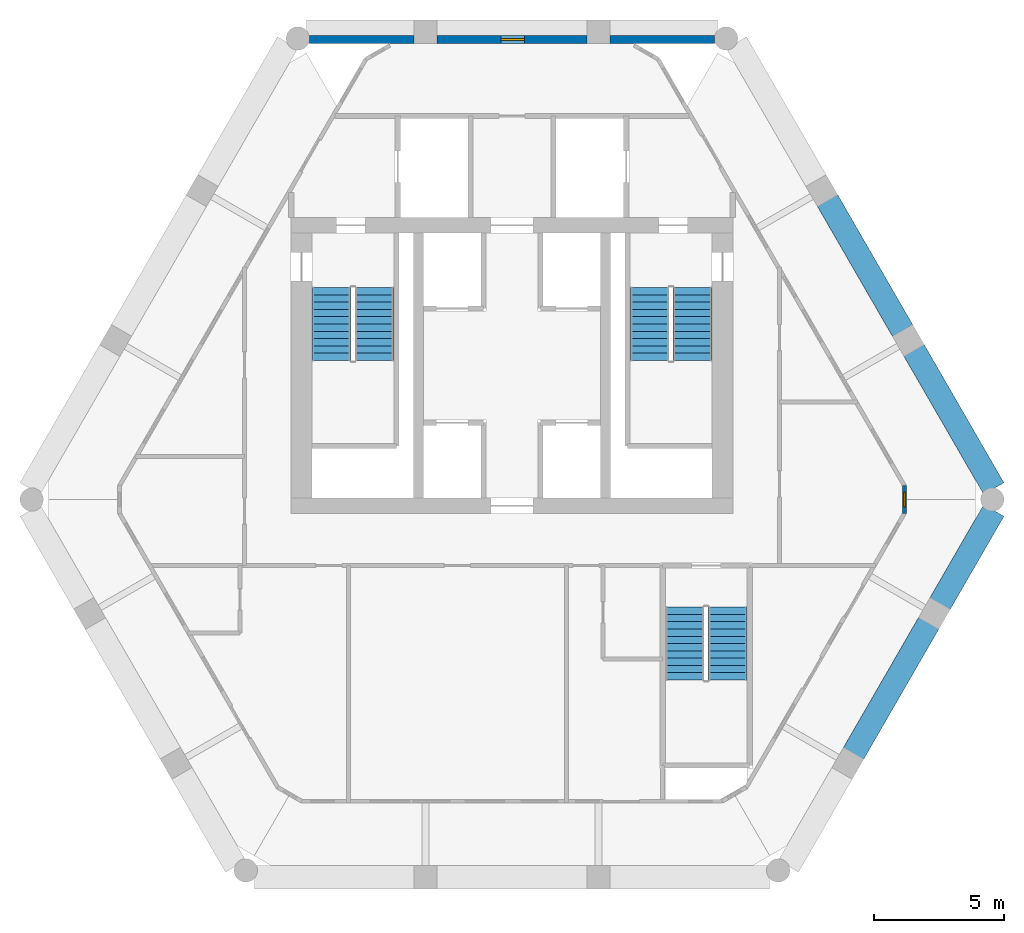
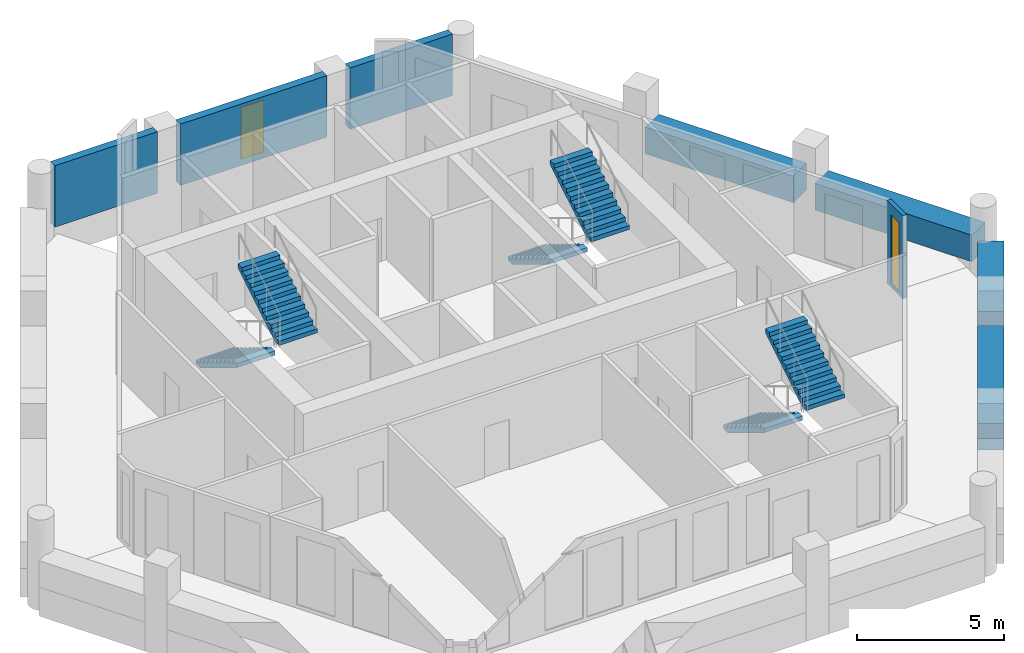
# One storey, part 5 of 6: 8 walls, 6 stair flights, 2 windows, 2 openings, 3 elements without a shape of their own.
"""IFC4 building model written with IfcOpenShell, lengths in metres."""

from ifc_helpers import new_model, si_unit, direction, frame, frame_2d, origin, place, context, subcontext, project, spatial, polyline, rectangle, outline, extrude, material, layer, layer_set, type_object, element, fill, aggregate, save


model = new_model("IFC4")

# Units and contexts
model_context = context("Model", 3, precision=1e-05, world=origin(), true_north=direction((0.0, 1.0)))
body_context = subcontext(model_context, "Body", "Model", "MODEL_VIEW")
ifc_project = project(units=[si_unit("LENGTHUNIT", "METRE"), si_unit("AREAUNIT", "SQUARE_METRE"), si_unit("VOLUMEUNIT", "CUBIC_METRE"), si_unit("PLANEANGLEUNIT", "RADIAN"), si_unit("MASSUNIT", "GRAM", prefix="KILO")], contexts=[model_context])

# Site, building, storey
site_placement = place(None, origin())
site = spatial("IfcSite", under=ifc_project, at=site_placement, CompositionType="ELEMENT")
building_placement = place(site_placement, origin())
building = spatial("IfcBuilding", under=site, at=building_placement, Name="Ostrander Bayou Hotel Tower", CompositionType="ELEMENT")
storey_placement = place(building_placement, frame((0.0, 0.0, 271.25)))
storey = spatial("IfcBuildingStorey", under=building, at=storey_placement, Name="L67", CompositionType="ELEMENT", Elevation=271.25)

# Wall, opening, window
ifc_material_1 = material(Name="Aluminium framed insulated wall", Category="aluminium")
ifc_layer_1 = layer(ifc_material_1, 0.14990234375)
ifc_layer_set_1 = layer_set([ifc_layer_1], Name="GW1 glass-line wall 150 mm")
wall_type_1 = type_object("IfcWallType", Name="GW1 glass-line wall 150 mm", PredefinedType="SOLIDWALL", material=ifc_layer_set_1)
wall_1_placement = place(storey_placement, frame((15.10400390625, -1.68896484375, 0.0), z_axis=(0.0, 0.0, 1.0), x_axis=(0.0, 1.0, 0.0)))
wall_1 = element("IfcWall", 1, at=wall_1_placement, inside=storey, type_object=wall_type_1, Name="GW1 L67 corner 5", PredefinedType="SOLIDWALL", context=body_context, shape_type="SweptSolid", body=[
    extrude(rectangle(XDim=1.06494140625, YDim=0.14990234375, at=frame_2d((0.532470703125, 0.0))), origin(), (0.0, 0.0, 1.0), 3.449951171875),
])
opening_1_placement = place(wall_1_placement, frame((0.257568359375, 0.0, 0.14990234375)))
opening_1 = element("IfcOpeningElement", 2, at=opening_1_placement, cuts=wall_1, Name="Opening W19", PredefinedType="OPENING", context=body_context, shape_type="SweptSolid", body=[
    extrude(rectangle(XDim=0.550048828125, YDim=2.85009765625, at=frame_2d((0.27490234375, 1.425048828125))), frame((0.0, 0.074951171875, 0.0), z_axis=(0.0, -1.0, 0.0), x_axis=(1.0, 0.0, 0.0)), (0.0, 0.0, 1.0), 0.14990234375),
])
ifc_material_2 = material(Name="Aluminium and clear glass", Category="aluminium")
window_type_1 = type_object("IfcWindowType", Name="W19 corner window 550 mm", PartitioningType="SINGLE_PANEL", PredefinedType="WINDOW", material=ifc_material_2)
window_1_placement = place(opening_1_placement, origin())
window_1 = element("IfcWindow", 3, at=window_1_placement, inside=storey, type_object=window_type_1, Name="W19 L67 corner 5", OverallHeight=2.85009765625, OverallWidth=0.550048828125, PartitioningType="SINGLE_PANEL", PredefinedType="WINDOW", context=body_context, shape_type="SweptSolid", body=[
    extrude(rectangle(XDim=0.550048828125, YDim=2.85009765625, at=frame_2d((0.27490234375, 1.425048828125))), frame((0.0, 0.030029296875, 0.0), z_axis=(0.0, -1.0, 0.0), x_axis=(1.0, 0.0, 0.0)), (0.0, 0.0, 1.0), 0.06005859375),
])
fill(opening_1, window_1)

# Wall
ifc_material_3 = material(Name="Reconstituted stone on masonry backing", Category="masonry")
ifc_layer_2 = layer(ifc_material_3, 0.300048828125)
ifc_layer_set_2 = layer_set([ifc_layer_2], Name="NW1 north stone wall 300 mm")
wall_type_2 = type_object("IfcWallType", Name="NW1 north stone wall 300 mm", PredefinedType="SOLIDWALL", material=ifc_layer_set_2)
wall_2_placement = place(storey_placement, frame((7.7958984375, 16.550048828125, 0.0), z_axis=(0.0, 0.0, 1.0), x_axis=(-1.0, 0.0, 0.0)))
element("IfcWall", 4, at=wall_2_placement, inside=storey, type_object=wall_type_2, Name="NW1 L67 N-1", PredefinedType="SOLIDWALL", context=body_context, shape_type="SweptSolid", body=[
    extrude(rectangle(XDim=4.0166015625, YDim=0.300048828125, at=frame_2d((2.00830078125, 0.0))), origin(), (0.0, 0.0, 1.0), 2.550048828125),
])

# Wall, opening, window
wall_3_placement = place(storey_placement, frame((2.87939453125, 16.550048828125, 0.0), z_axis=(0.0, 0.0, 1.0), x_axis=(-1.0, 0.0, 0.0)))
wall_3 = element("IfcWall", 5, at=wall_3_placement, inside=storey, type_object=wall_type_2, Name="NW1 L67 N-2", PredefinedType="SOLIDWALL", context=body_context, shape_type="SweptSolid", body=[
    extrude(rectangle(XDim=5.7587890625, YDim=0.300048828125, at=frame_2d((2.87939453125, 0.0))), origin(), (0.0, 0.0, 1.0), 2.550048828125),
])
opening_2_placement = place(wall_3_placement, frame((2.39990234375, 0.0, 0.14990234375)))
opening_2 = element("IfcOpeningElement", 6, at=opening_2_placement, cuts=wall_3, Name="Opening W18", PredefinedType="OPENING", context=body_context, shape_type="SweptSolid", body=[
    extrude(rectangle(XDim=0.89990234375, YDim=2.14990234375, at=frame_2d((0.449951171875, 1.074951171875))), frame((0.0, 0.14990234375, 0.0), z_axis=(0.0, -1.0, 0.0), x_axis=(1.0, 0.0, 0.0)), (0.0, 0.0, 1.0), 0.300048828125),
])
ifc_material_4 = material(Name="Aluminium and clear glass", Category="aluminium")
window_type_2 = type_object("IfcWindowType", Name="W18 window 900 mm, zone 4", PartitioningType="SINGLE_PANEL", PredefinedType="WINDOW", material=ifc_material_4)
window_2_placement = place(opening_2_placement, origin())
window_2 = element("IfcWindow", 7, at=window_2_placement, inside=storey, type_object=window_type_2, Name="W18 L67 north N-2", OverallHeight=2.14990234375, OverallWidth=0.89990234375, PartitioningType="SINGLE_PANEL", PredefinedType="WINDOW", context=body_context, shape_type="SweptSolid", body=[
    extrude(rectangle(XDim=0.89990234375, YDim=2.14990234375, at=frame_2d((0.449951171875, 1.074951171875))), frame((0.0, 0.030029296875, 0.0), z_axis=(0.0, -1.0, 0.0), x_axis=(1.0, 0.0, 0.0)), (0.0, 0.0, 1.0), 0.06005859375),
])
fill(opening_2, window_2)

# Walls
wall_4_placement = place(storey_placement, frame((-3.779296875, 16.550048828125, 0.0), z_axis=(0.0, 0.0, 1.0), x_axis=(-1.0, 0.0, 0.0)))
element("IfcWall", 8, at=wall_4_placement, inside=storey, type_object=wall_type_2, Name="NW1 L67 N-3", PredefinedType="SOLIDWALL", context=body_context, shape_type="SweptSolid", body=[
    extrude(rectangle(XDim=4.0166015625, YDim=0.300048828125, at=frame_2d((2.00830078125, 0.0))), origin(), (0.0, 0.0, 1.0), 2.550048828125),
])
ifc_material_5 = material(Name="Concrete f'c 40 MPa", Category="concrete")
ifc_layer_3 = layer(ifc_material_5, 0.89990234375)
ifc_layer_set_3 = layer_set([ifc_layer_3], Name="PA1 stone-faced parapet 900 mm")
wall_type_3 = type_object("IfcWallType", Name="PA1 stone-faced parapet 900 mm", PredefinedType="PARAPET", material=ifc_layer_set_3)
wall_5_placement = place(storey_placement, frame((18.54541015625, -0.734619140625, 0.0), z_axis=(0.0, 0.0, 1.0), x_axis=(-0.499984362083, 0.866034432152, 0.0)))
element("IfcWall", 9, at=wall_5_placement, inside=storey, type_object=wall_type_3, Name="PA1 L67 NE-1", PredefinedType="PARAPET", context=body_context, shape_type="SweptSolid", body=[
    extrude(rectangle(XDim=6.159423828125, YDim=0.89990234375, at=frame_2d((3.07958984375, 0.0))), origin(), (0.0, 0.0, 1.0), 1.10009765625),
])
wall_6_placement = place(storey_placement, frame((15.045654296875, 5.3271484375, 0.0), z_axis=(0.0, 0.0, 1.0), x_axis=(-0.499997265274, 0.866026982673, 0.0)))
element("IfcWall", 10, at=wall_6_placement, inside=storey, type_object=wall_type_3, Name="PA1 L67 NE-2", PredefinedType="PARAPET", context=body_context, shape_type="SweptSolid", body=[
    extrude(rectangle(XDim=5.81884765625, YDim=0.89990234375, at=frame_2d((2.909423828125, 0.0))), origin(), (0.0, 0.0, 1.0), 1.10009765625),
])
ifc_material_6 = material(Name="Limestone masonry", Category="masonry")
ifc_layer_4 = layer(ifc_material_6, 0.89990234375)
ifc_layer_set_4 = layer_set([ifc_layer_4], Name="PA2 limestone parapet 900 mm")
wall_type_4 = type_object("IfcWallType", Name="PA2 limestone parapet 900 mm", PredefinedType="PARAPET", material=ifc_layer_set_4)
wall_7_placement = place(storey_placement, frame((13.1376953125, -10.944580078125, 0.0), z_axis=(0.0, 0.0, 1.0), x_axis=(0.500015433515, 0.866016493057, 0.0)))
element("IfcWall", 11, at=wall_7_placement, inside=storey, type_object=wall_type_4, Name="PA2 L67 SE-2", PredefinedType="PARAPET", context=body_context, shape_type="SweptSolid", body=[
    extrude(rectangle(XDim=5.818603515625, YDim=0.89990234375, at=frame_2d((2.9091796875, 0.0))), origin(), (0.0, 0.0, 1.0), 1.10009765625),
])
wall_8_placement = place(storey_placement, frame((16.46728515625, -5.177978515625, 0.0), z_axis=(0.0, 0.0, 1.0), x_axis=(0.499980071345, 0.866036909293, 0.0)))
element("IfcWall", 12, at=wall_8_placement, inside=storey, type_object=wall_type_4, Name="PA2 L67 SE-3", PredefinedType="PARAPET", context=body_context, shape_type="SweptSolid", body=[
    extrude(rectangle(XDim=4.156494140625, YDim=0.89990234375, at=frame_2d((2.078125, 0.0))), origin(), (0.0, 0.0, 1.0), 1.10009765625),
])

# Stair, stair flights
ifc_material_7 = material(Name="Concrete f'c 45 MPa", Category="concrete")
stair_type = type_object("IfcStairType", Name="ST1 exit stair 1500 mm f'c 45 MPa", PredefinedType="HALF_TURN_STAIR", material=ifc_material_7)
stair_1_placement = place(storey_placement, origin())
stair_1 = element("IfcStair", 13, at=stair_1_placement, inside=storey, type_object=stair_type, Name="L67 exit stair A", PredefinedType="HALF_TURN_STAIR")
ifc_material_8 = material(Name="Concrete f'c 45 MPa", Category="concrete")
stair_flight_type = type_object("IfcStairFlightType", Name="SF1 stair flight 1500 mm f'c 45 MPa", PredefinedType="STRAIGHT", material=ifc_material_8)
stair_flight_1_placement = place(storey_placement, frame((-6.949951171875, 7.0, 0.0), z_axis=(0.0, 0.0, 1.0), x_axis=(0.0, -1.0, 0.0)))
stair_flight_1 = element("IfcStairFlight", 14, at=stair_flight_1_placement, type_object=stair_flight_type, Name="STA flight 1", NumberOfRisers=11, NumberOfTreads=10, PredefinedType="STRAIGHT", RiserHeight=0.170454545, TreadLength=0.28, context=body_context, shape_type="SweptSolid", body=[
    extrude(outline(polyline([(0.0, 0.0), (0.0, 0.17041015625), (0.280029296875, 0.17041015625), (0.280029296875, 0.3408203125), (0.56005859375, 0.3408203125), (0.56005859375, 0.511474609375), (0.840087890625, 0.511474609375), (0.840087890625, 0.681884765625), (1.1201171875, 0.681884765625), (1.1201171875, 0.852294921875), (1.39990234375, 0.852294921875), (1.39990234375, 1.022705078125), (1.679931640625, 1.022705078125), (1.679931640625, 1.193115234375), (1.9599609375, 1.193115234375), (1.9599609375, 1.363525390625), (2.239990234375, 1.363525390625), (2.239990234375, 1.5341796875), (2.52001953125, 1.5341796875), (2.52001953125, 1.70458984375), (2.800048828125, 1.70458984375), (2.800048828125, 1.875), (2.800048828125, 1.529052734375), (0.288330078125, 0.0), (0.0, 0.0)])), frame((0.0, 0.75, 0.0), z_axis=(0.0, -1.0, 0.0), x_axis=(1.0, 0.0, 0.0)), (0.0, 0.0, 1.0), 1.5),
])
stair_flight_2_placement = place(storey_placement, frame((-5.300048828125, 4.199951171875, 1.875), z_axis=(0.0, 0.0, 1.0), x_axis=(0.0, 1.0, 0.0)))
stair_flight_2 = element("IfcStairFlight", 15, at=stair_flight_2_placement, type_object=stair_flight_type, Name="STA flight 2", NumberOfRisers=11, NumberOfTreads=10, PredefinedType="STRAIGHT", RiserHeight=0.170454545, TreadLength=0.28, context=body_context, shape_type="SweptSolid", body=[
    extrude(outline(polyline([(0.0, 0.0), (0.0, 0.17041015625), (0.280029296875, 0.17041015625), (0.280029296875, 0.3408203125), (0.56005859375, 0.3408203125), (0.56005859375, 0.511474609375), (0.840087890625, 0.511474609375), (0.840087890625, 0.681884765625), (1.1201171875, 0.681884765625), (1.1201171875, 0.852294921875), (1.39990234375, 0.852294921875), (1.39990234375, 1.022705078125), (1.679931640625, 1.022705078125), (1.679931640625, 1.193115234375), (1.9599609375, 1.193115234375), (1.9599609375, 1.363525390625), (2.239990234375, 1.363525390625), (2.239990234375, 1.5341796875), (2.52001953125, 1.5341796875), (2.52001953125, 1.70458984375), (2.800048828125, 1.70458984375), (2.800048828125, 1.875), (2.800048828125, 1.529052734375), (0.288330078125, 0.0), (0.0, 0.0)])), frame((0.0, 0.75, 0.0), z_axis=(0.0, -1.0, 0.0), x_axis=(1.0, 0.0, 0.0)), (0.0, 0.0, 1.0), 1.5),
])
aggregate(stair_1, [stair_flight_1, stair_flight_2])

stair_2_placement = place(storey_placement, origin())
stair_2 = element("IfcStair", 16, at=stair_2_placement, inside=storey, type_object=stair_type, Name="L67 exit stair B", PredefinedType="HALF_TURN_STAIR")
stair_flight_3_placement = place(storey_placement, frame((5.300048828125, 7.0, 0.0), z_axis=(0.0, 0.0, 1.0), x_axis=(0.0, -1.0, 0.0)))
stair_flight_3 = element("IfcStairFlight", 17, at=stair_flight_3_placement, type_object=stair_flight_type, Name="STB flight 1", NumberOfRisers=11, NumberOfTreads=10, PredefinedType="STRAIGHT", RiserHeight=0.170454545, TreadLength=0.28, context=body_context, shape_type="SweptSolid", body=[
    extrude(outline(polyline([(0.0, 0.0), (0.0, 0.17041015625), (0.280029296875, 0.17041015625), (0.280029296875, 0.3408203125), (0.56005859375, 0.3408203125), (0.56005859375, 0.511474609375), (0.840087890625, 0.511474609375), (0.840087890625, 0.681884765625), (1.1201171875, 0.681884765625), (1.1201171875, 0.852294921875), (1.39990234375, 0.852294921875), (1.39990234375, 1.022705078125), (1.679931640625, 1.022705078125), (1.679931640625, 1.193115234375), (1.9599609375, 1.193115234375), (1.9599609375, 1.363525390625), (2.239990234375, 1.363525390625), (2.239990234375, 1.5341796875), (2.52001953125, 1.5341796875), (2.52001953125, 1.70458984375), (2.800048828125, 1.70458984375), (2.800048828125, 1.875), (2.800048828125, 1.529052734375), (0.288330078125, 0.0), (0.0, 0.0)])), frame((0.0, 0.75, 0.0), z_axis=(0.0, -1.0, 0.0), x_axis=(1.0, 0.0, 0.0)), (0.0, 0.0, 1.0), 1.5),
])
stair_flight_4_placement = place(storey_placement, frame((6.949951171875, 4.199951171875, 1.875), z_axis=(0.0, 0.0, 1.0), x_axis=(0.0, 1.0, 0.0)))
stair_flight_4 = element("IfcStairFlight", 18, at=stair_flight_4_placement, type_object=stair_flight_type, Name="STB flight 2", NumberOfRisers=11, NumberOfTreads=10, PredefinedType="STRAIGHT", RiserHeight=0.170454545, TreadLength=0.28, context=body_context, shape_type="SweptSolid", body=[
    extrude(outline(polyline([(0.0, 0.0), (0.0, 0.17041015625), (0.280029296875, 0.17041015625), (0.280029296875, 0.3408203125), (0.56005859375, 0.3408203125), (0.56005859375, 0.511474609375), (0.840087890625, 0.511474609375), (0.840087890625, 0.681884765625), (1.1201171875, 0.681884765625), (1.1201171875, 0.852294921875), (1.39990234375, 0.852294921875), (1.39990234375, 1.022705078125), (1.679931640625, 1.022705078125), (1.679931640625, 1.193115234375), (1.9599609375, 1.193115234375), (1.9599609375, 1.363525390625), (2.239990234375, 1.363525390625), (2.239990234375, 1.5341796875), (2.52001953125, 1.5341796875), (2.52001953125, 1.70458984375), (2.800048828125, 1.70458984375), (2.800048828125, 1.875), (2.800048828125, 1.529052734375), (0.288330078125, 0.0), (0.0, 0.0)])), frame((0.0, 0.75, 0.0), z_axis=(0.0, -1.0, 0.0), x_axis=(1.0, 0.0, 0.0)), (0.0, 0.0, 1.0), 1.5),
])
aggregate(stair_2, [stair_flight_3, stair_flight_4])

stair_3_placement = place(storey_placement, origin())
stair_3 = element("IfcStair", 19, at=stair_3_placement, inside=storey, type_object=stair_type, Name="L67 exit stair C", PredefinedType="HALF_TURN_STAIR")
stair_flight_5_placement = place(storey_placement, frame((6.64990234375, -5.300048828125, 0.0), z_axis=(0.0, 0.0, 1.0), x_axis=(0.0, -1.0, 0.0)))
stair_flight_5 = element("IfcStairFlight", 20, at=stair_flight_5_placement, type_object=stair_flight_type, Name="STC flight 1", NumberOfRisers=11, NumberOfTreads=10, PredefinedType="STRAIGHT", RiserHeight=0.170454545, TreadLength=0.28, context=body_context, shape_type="SweptSolid", body=[
    extrude(outline(polyline([(0.0, 0.0), (0.0, 0.17041015625), (0.280029296875, 0.17041015625), (0.280029296875, 0.3408203125), (0.56005859375, 0.3408203125), (0.56005859375, 0.511474609375), (0.840087890625, 0.511474609375), (0.840087890625, 0.681884765625), (1.1201171875, 0.681884765625), (1.1201171875, 0.852294921875), (1.39990234375, 0.852294921875), (1.39990234375, 1.022705078125), (1.679931640625, 1.022705078125), (1.679931640625, 1.193115234375), (1.9599609375, 1.193115234375), (1.9599609375, 1.363525390625), (2.239990234375, 1.363525390625), (2.239990234375, 1.5341796875), (2.52001953125, 1.5341796875), (2.52001953125, 1.70458984375), (2.800048828125, 1.70458984375), (2.800048828125, 1.875), (2.800048828125, 1.529052734375), (0.288330078125, 0.0), (0.0, 0.0)])), frame((0.0, 0.75, 0.0), z_axis=(0.0, -1.0, 0.0), x_axis=(1.0, 0.0, 0.0)), (0.0, 0.0, 1.0), 1.5),
])
stair_flight_6_placement = place(storey_placement, frame((8.300048828125, -8.10009765625, 1.875), z_axis=(0.0, 0.0, 1.0), x_axis=(0.0, 1.0, 0.0)))
stair_flight_6 = element("IfcStairFlight", 21, at=stair_flight_6_placement, type_object=stair_flight_type, Name="STC flight 2", NumberOfRisers=11, NumberOfTreads=10, PredefinedType="STRAIGHT", RiserHeight=0.170454545, TreadLength=0.28, context=body_context, shape_type="SweptSolid", body=[
    extrude(outline(polyline([(0.0, 0.0), (0.0, 0.17041015625), (0.280029296875, 0.17041015625), (0.280029296875, 0.3408203125), (0.56005859375, 0.3408203125), (0.56005859375, 0.511474609375), (0.840087890625, 0.511474609375), (0.840087890625, 0.681884765625), (1.1201171875, 0.681884765625), (1.1201171875, 0.852294921875), (1.39990234375, 0.852294921875), (1.39990234375, 1.022705078125), (1.679931640625, 1.022705078125), (1.679931640625, 1.193115234375), (1.9599609375, 1.193115234375), (1.9599609375, 1.363525390625), (2.239990234375, 1.363525390625), (2.239990234375, 1.5341796875), (2.52001953125, 1.5341796875), (2.52001953125, 1.70458984375), (2.800048828125, 1.70458984375), (2.800048828125, 1.875), (2.800048828125, 1.529052734375), (0.288330078125, 0.0), (0.0, 0.0)])), frame((0.0, 0.75, 0.0), z_axis=(0.0, -1.0, 0.0), x_axis=(1.0, 0.0, 0.0)), (0.0, 0.0, 1.0), 1.5),
])
aggregate(stair_3, [stair_flight_5, stair_flight_6])

save(model, "model.ifc")
